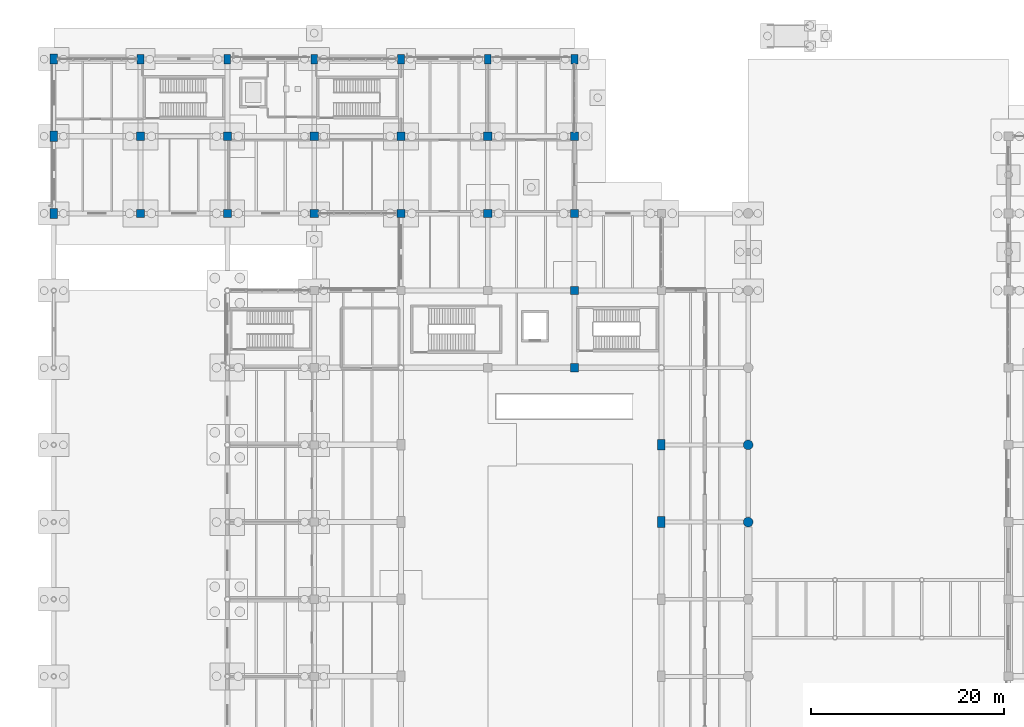
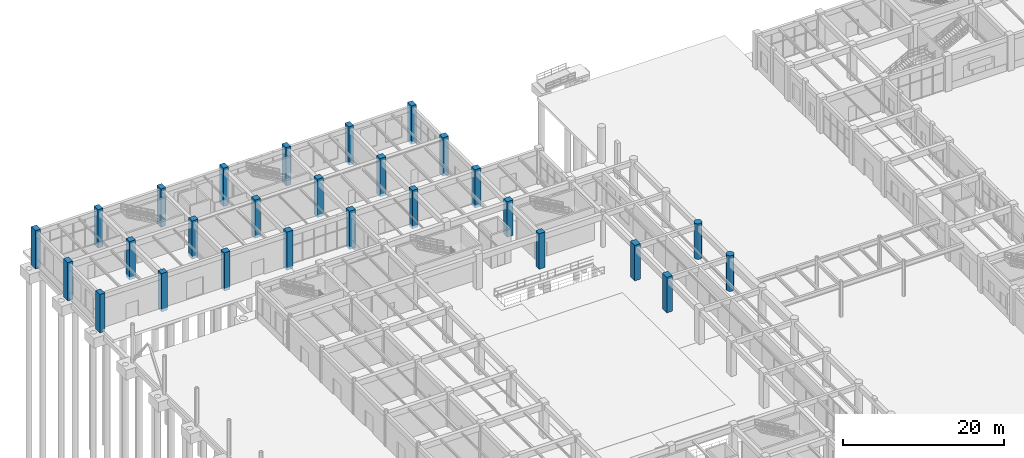
# One storey, part 13 of 121: 27 columns.
"""IFC4 building model written with IfcOpenShell, lengths in metres."""

from ifc_helpers import new_model, si_unit, derived_unit, direction, frame, origin, origin_2d, place, context, subcontext, project, spatial, rectangle, circle, extrude, material, material_profile, profile_set, type_object, element, save


model = new_model("IFC4")

# Units and contexts
model_context = context("Model", 3, precision=1e-05, world=origin(), true_north=direction((0.0, 1.0)))
body_context = subcontext(model_context, "Body", "Model", "MODEL_VIEW")
ifc_project = project(units=[si_unit("LENGTHUNIT", "METRE"), si_unit("AREAUNIT", "SQUARE_METRE"), si_unit("VOLUMEUNIT", "CUBIC_METRE"), si_unit("PLANEANGLEUNIT", "RADIAN"), si_unit("MASSUNIT", "GRAM", prefix="KILO"), derived_unit("THERMALTRANSMITTANCEUNIT", [(si_unit("MASSUNIT", "GRAM", prefix="KILO"), 1), (si_unit("TIMEUNIT", "SECOND"), -3), (si_unit("THERMODYNAMICTEMPERATUREUNIT", "KELVIN"), -1)])], contexts=[model_context])

# Site, building, storey
site_placement = place(None, origin())
site = spatial("IfcSite", under=ifc_project, at=site_placement, CompositionType="ELEMENT")
building_placement = place(site_placement, origin())
building = spatial("IfcBuilding", under=site, at=building_placement, Name="Zhenchuan Archway Interchange", CompositionType="ELEMENT")
storey_placement = place(building_placement, origin())
storey = spatial("IfcBuildingStorey", under=building, at=storey_placement, Name="L00", CompositionType="ELEMENT", Elevation=0.0)

# Columns
ifc_material_1 = material(Name="Concrete C50", Category="concrete")
ifc_material_profile_1 = material_profile(ifc_material_1, rectangle(XDim=0.699951171875, YDim=1.0, at=origin_2d()), Name="RC 700x1000")
ifc_profile_set_1 = profile_set([ifc_material_profile_1], Name="Concrete C50")
column_type_1 = type_object("IfcColumnType", Name="COL_RC_700x1000", PredefinedType="COLUMN", material=ifc_profile_set_1)
for number, where, z_axis, x_axis, name in (
    (1, (9.0, 112.0, -0.419921875), (0.0, 0.0, 1.0), (1.0, 0.0, 0.0), "Column 2/P (L00)"),
    (2, (18.0, 112.0, -0.419921875), (0.0, 0.0, 1.0), (1.0, 0.0, 0.0), "Column 3/P (L00)"),
    (3, (27.0, 112.0, -0.419921875), (0.0, 0.0, 1.0), (1.0, 0.0, 0.0), "Column 4/P (L00)"),
    (4, (36.0, 112.0, -0.419921875), (0.0, 0.0, 1.0), (1.0, 0.0, 0.0), "Column 5/P (L00)"),
    (5, (45.0, 112.0, -0.419921875), (0.0, 0.0, 1.0), (1.0, 0.0, 0.0), "Column 6/P (L00)"),
    (6, (54.0, 112.0, -0.419921875), (0.0, 0.0, 1.0), (1.0, 0.0, 0.0), "Column 7/P (L00)"),
):
    element("IfcColumn", number, at=place(storey_placement, frame(where, z_axis=z_axis, x_axis=x_axis)), inside=storey, type_object=column_type_1, Name=name, PredefinedType="COLUMN", context=body_context, shape_type="SweptSolid", body=[
        extrude(rectangle(XDim=0.699951171875, YDim=1.0, at=origin_2d()), origin(), (0.0, 0.0, 1.0), 5.81982421875),
    ])
ifc_material_profile_2 = material_profile(ifc_material_1, rectangle(XDim=0.75, YDim=1.050048828125, at=origin_2d()), Name="RC 750x1050")
ifc_profile_set_2 = profile_set([ifc_material_profile_2], Name="Concrete C50")
column_type_2 = type_object("IfcColumnType", Name="COL_RC_750x1050", PredefinedType="COLUMN", material=ifc_profile_set_2)
for number, where, z_axis, x_axis, name in (
    (7, (0.0, 96.0, -0.419921875), (0.0, 0.0, 1.0), (1.0, 0.0, 0.0), "Column 1/N (L00)"),
    (8, (0.0, 104.0, -0.419921875), (0.0, 0.0, 1.0), (1.0, 0.0, 0.0), "Column 1/O (L00)"),
    (9, (0.0, 112.0, -0.419921875), (0.0, 0.0, 1.0), (1.0, 0.0, 0.0), "Column 1/P (L00)"),
):
    element("IfcColumn", number, at=place(storey_placement, frame(where, z_axis=z_axis, x_axis=x_axis)), inside=storey, type_object=column_type_2, Name=name, PredefinedType="COLUMN", context=body_context, shape_type="SweptSolid", body=[
        extrude(rectangle(XDim=0.75, YDim=1.050048828125, at=origin_2d()), origin(), (0.0, 0.0, 1.0), 5.81982421875),
    ])
ifc_material_profile_3 = material_profile(ifc_material_1, rectangle(XDim=0.800048828125, YDim=1.10009765625, at=origin_2d()), Name="RC 800x1100")
ifc_profile_set_3 = profile_set([ifc_material_profile_3], Name="Concrete C50")
column_type_3 = type_object("IfcColumnType", Name="COL_RC_800x1100", PredefinedType="COLUMN", material=ifc_profile_set_3)
for number, where, z_axis, x_axis, name in (
    (10, (63.0, 64.0, 0.0), (0.0, 0.0, 1.0), (1.0, 0.0, 0.0), "Column 8/J (L00)"),
    (11, (63.0, 72.0, 0.0), (0.0, 0.0, 1.0), (1.0, 0.0, 0.0), "Column 8/K (L00)"),
):
    element("IfcColumn", number, at=place(storey_placement, frame(where, z_axis=z_axis, x_axis=x_axis)), inside=storey, type_object=column_type_3, Name=name, PredefinedType="COLUMN", context=body_context, shape_type="SweptSolid", body=[
        extrude(rectangle(XDim=0.800048828125, YDim=1.10009765625, at=origin_2d()), origin(), (0.0, 0.0, 1.0), 5.39990234375),
    ])
ifc_material_2 = material(Name="Concrete C40", Category="concrete")
ifc_material_profile_4 = material_profile(ifc_material_2, rectangle(XDim=0.85009765625, YDim=0.85009765625, at=origin_2d()), Name="RC 850x850")
ifc_profile_set_4 = profile_set([ifc_material_profile_4], Name="Concrete C40")
column_type_4 = type_object("IfcColumnType", Name="COL_RC_850", PredefinedType="COLUMN", material=ifc_profile_set_4)
for number, where, z_axis, x_axis, name in (
    (12, (9.0, 96.0, -0.419921875), (0.0, 0.0, 1.0), (1.0, 0.0, 0.0), "Column 2/N (L00)"),
    (13, (9.0, 104.0, -0.419921875), (0.0, 0.0, 1.0), (1.0, 0.0, 0.0), "Column 2/O (L00)"),
    (14, (18.0, 96.0, -0.419921875), (0.0, 0.0, 1.0), (1.0, 0.0, 0.0), "Column 3/N (L00)"),
    (15, (18.0, 104.0, -0.419921875), (0.0, 0.0, 1.0), (1.0, 0.0, 0.0), "Column 3/O (L00)"),
    (16, (27.0, 96.0, -0.419921875), (0.0, 0.0, 1.0), (1.0, 0.0, 0.0), "Column 4/N (L00)"),
    (17, (27.0, 104.0, -0.419921875), (0.0, 0.0, 1.0), (1.0, 0.0, 0.0), "Column 4/O (L00)"),
    (18, (36.0, 96.0, -0.419921875), (0.0, 0.0, 1.0), (1.0, 0.0, 0.0), "Column 5/N (L00)"),
    (19, (36.0, 104.0, -0.419921875), (0.0, 0.0, 1.0), (1.0, 0.0, 0.0), "Column 5/O (L00)"),
    (20, (45.0, 96.0, -0.419921875), (0.0, 0.0, 1.0), (1.0, 0.0, 0.0), "Column 6/N (L00)"),
    (21, (45.0, 104.0, -0.419921875), (0.0, 0.0, 1.0), (1.0, 0.0, 0.0), "Column 6/O (L00)"),
):
    element("IfcColumn", number, at=place(storey_placement, frame(where, z_axis=z_axis, x_axis=x_axis)), inside=storey, type_object=column_type_4, Name=name, PredefinedType="COLUMN", context=body_context, shape_type="SweptSolid", body=[
        extrude(rectangle(XDim=0.85009765625, YDim=0.85009765625, at=origin_2d()), origin(), (0.0, 0.0, 1.0), 5.81982421875),
    ])
for number, where, z_axis, x_axis, name in (
    (22, (54.0, 80.0, 0.0), (0.0, 0.0, 1.0), (1.0, 0.0, 0.0), "Column 7/L (L00)"),
    (23, (54.0, 88.0, 0.0), (0.0, 0.0, 1.0), (1.0, 0.0, 0.0), "Column 7/M (L00)"),
):
    element("IfcColumn", number, at=place(storey_placement, frame(where, z_axis=z_axis, x_axis=x_axis)), inside=storey, type_object=column_type_4, Name=name, PredefinedType="COLUMN", context=body_context, shape_type="SweptSolid", body=[
        extrude(rectangle(XDim=0.85009765625, YDim=0.85009765625, at=origin_2d()), origin(), (0.0, 0.0, 1.0), 5.39990234375),
    ])
for number, where, z_axis, x_axis, name in (
    (24, (54.0, 96.0, -0.419921875), (0.0, 0.0, 1.0), (1.0, 0.0, 0.0), "Column 7/N (L00)"),
    (25, (54.0, 104.0, -0.419921875), (0.0, 0.0, 1.0), (1.0, 0.0, 0.0), "Column 7/O (L00)"),
):
    element("IfcColumn", number, at=place(storey_placement, frame(where, z_axis=z_axis, x_axis=x_axis)), inside=storey, type_object=column_type_4, Name=name, PredefinedType="COLUMN", context=body_context, shape_type="SweptSolid", body=[
        extrude(rectangle(XDim=0.85009765625, YDim=0.85009765625, at=origin_2d()), origin(), (0.0, 0.0, 1.0), 5.81982421875),
    ])
ifc_material_profile_5 = material_profile(ifc_material_1, circle(Radius=0.5, at=origin_2d()), Name="RC D1000")
ifc_profile_set_5 = profile_set([ifc_material_profile_5], Name="Concrete C50")
column_type_5 = type_object("IfcColumnType", Name="COL_RC_D1000", PredefinedType="COLUMN", material=ifc_profile_set_5)
for number, where, z_axis, x_axis, name in (
    (26, (72.0, 64.0, 0.0), (0.0, 0.0, 1.0), (1.0, 0.0, 0.0), "Column 9/J (L00)"),
    (27, (72.0, 72.0, 0.0), (0.0, 0.0, 1.0), (1.0, 0.0, 0.0), "Column 9/K (L00)"),
):
    element("IfcColumn", number, at=place(storey_placement, frame(where, z_axis=z_axis, x_axis=x_axis)), inside=storey, type_object=column_type_5, Name=name, PredefinedType="COLUMN", context=body_context, shape_type="SweptSolid", body=[
        extrude(circle(Radius=0.5, at=origin_2d()), origin(), (0.0, 0.0, 1.0), 5.39990234375),
    ])

save(model, "model.ifc")
